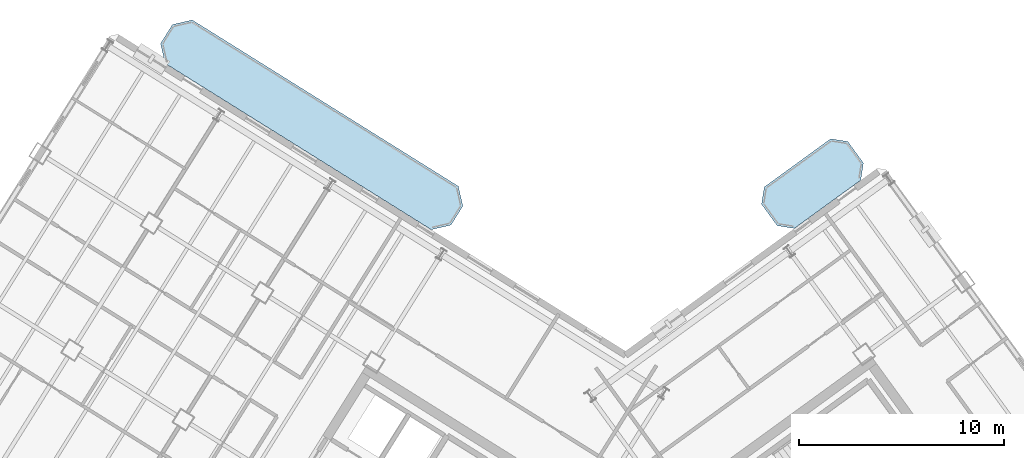
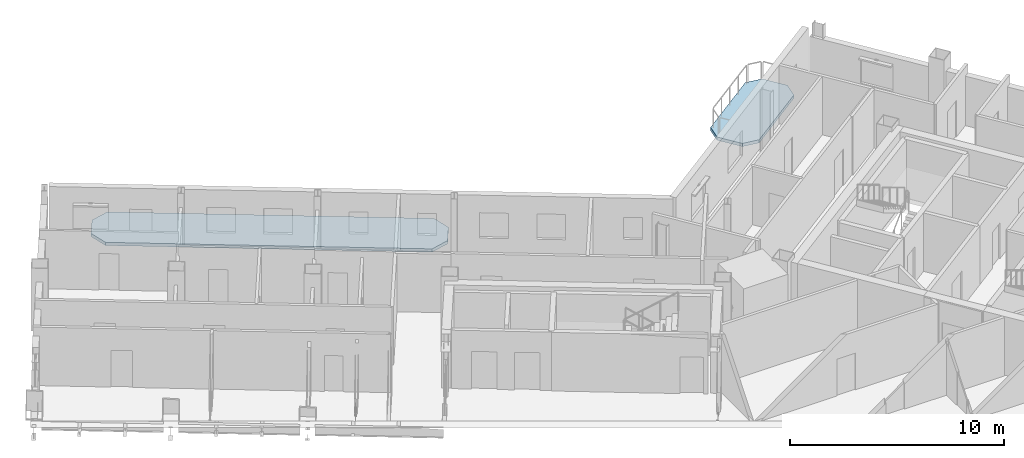
# One storey, part 11 of 23: 2 slabs.
"""IFC4 building model written with IfcOpenShell, lengths in metres."""

from ifc_helpers import new_model, si_unit, direction, frame, origin, place, context, subcontext, project, spatial, polyline, outline, extrude, material, layer, layer_set, type_object, element, save


model = new_model("IFC4")

# Units and contexts
model_context = context("Model", 3, precision=1e-05, world=origin(), true_north=direction((0.0, 1.0)))
body_context = subcontext(model_context, "Body", "Model", "MODEL_VIEW")
ifc_project = project(units=[si_unit("LENGTHUNIT", "METRE"), si_unit("AREAUNIT", "SQUARE_METRE"), si_unit("VOLUMEUNIT", "CUBIC_METRE"), si_unit("PLANEANGLEUNIT", "RADIAN"), si_unit("MASSUNIT", "GRAM", prefix="KILO")], contexts=[model_context])

# Site, building, storey
site_placement = place(None, origin())
site = spatial("IfcSite", under=ifc_project, at=site_placement, CompositionType="ELEMENT")
building_placement = place(site_placement, origin())
building = spatial("IfcBuilding", under=site, at=building_placement, Name="Tlacorven Tower", CompositionType="ELEMENT")
storey_placement = place(building_placement, frame((0.0, 0.0, 218.39990234375)))
storey = spatial("IfcBuildingStorey", under=building, at=storey_placement, Name="L55", CompositionType="ELEMENT", Elevation=218.39990234375)

# Slabs
ifc_material = material(Name="Precast concrete C45/55", Category="concrete")
ifc_layer = layer(ifc_material, 0.179931640625)
ifc_layer_set = layer_set([ifc_layer], Name="Precast concrete C45/55")
slab_type = type_object("IfcSlabType", Name="SL-BAL-180", PredefinedType="USERDEFINED", material=ifc_layer_set)
slab_1_placement = place(storey_placement, frame((0.0, 0.0, -0.179931640625)))
element("IfcSlab", 1, at=slab_1_placement, inside=storey, type_object=slab_type, Name="L55 West Wing Balcony Ribbon IN", ObjectType="BALCONY SLAB", PredefinedType="USERDEFINED", context=body_context, shape_type="SweptSolid", body=[
    extrude(outline(polyline([(34.0419921875, 39.835693359375), (21.06689453125, 47.943359375), (20.102294921875, 47.720703125), (19.52197265625, 46.7919921875), (19.744873046875, 45.827392578125), (32.719970703125, 37.7197265625), (33.6845703125, 37.9423828125), (34.2646484375, 38.87109375), (34.0419921875, 39.835693359375)])), origin(), (0.0, 0.0, 1.0), 0.179931640625),
])
slab_2_placement = place(storey_placement, frame((0.0, 0.0, -0.179931640625)))
element("IfcSlab", 2, at=slab_2_placement, inside=storey, type_object=slab_type, Name="L55 East Wing Balcony Ribbon IN", ObjectType="BALCONY SLAB", PredefinedType="USERDEFINED", context=body_context, shape_type="SweptSolid", body=[
    extrude(outline(polyline([(50.433837890625, 37.77880859375), (53.669921875, 40.1298828125), (53.802490234375, 40.968017578125), (53.04150390625, 42.015625), (52.203369140625, 42.1484375), (48.96728515625, 39.79736328125), (48.83447265625, 38.959228515625), (49.595703125, 37.91162109375), (50.433837890625, 37.77880859375)])), origin(), (0.0, 0.0, 1.0), 0.179931640625),
])

save(model, "model.ifc")
